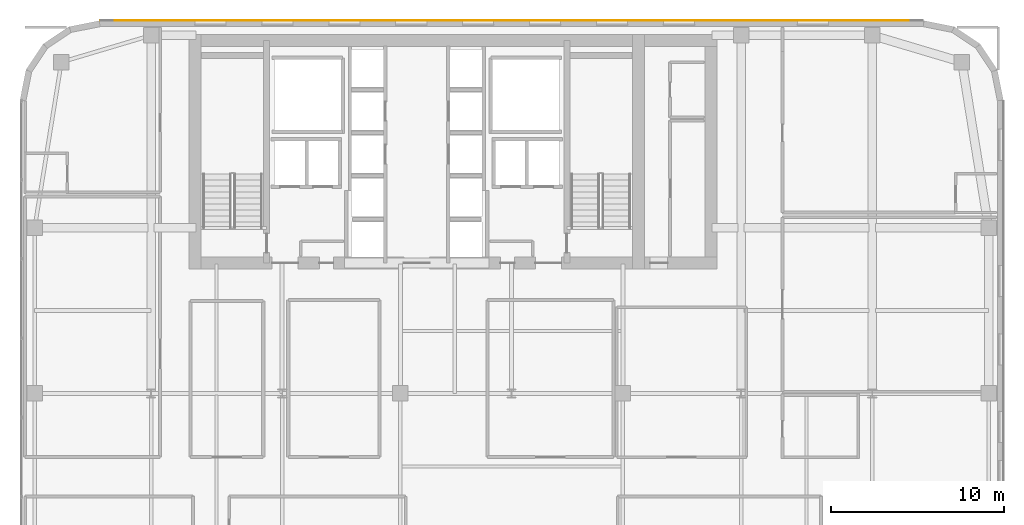
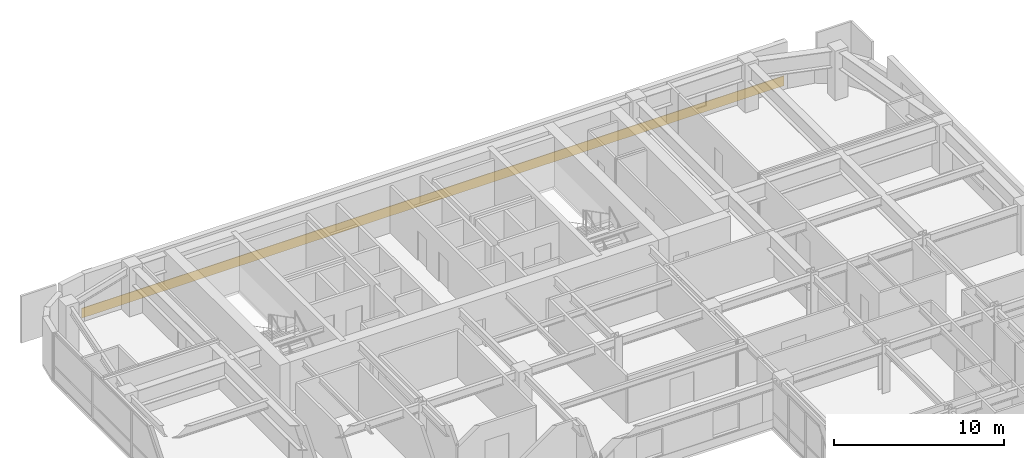
# One storey, part 36 of 37: 1 covering.
"""IFC4 building model written with IfcOpenShell, lengths in metres."""

from ifc_helpers import new_model, si_unit, direction, frame, origin, place, context, subcontext, project, spatial, polyline, outline, extrude, material, layer, layer_set, type_object, element, save


model = new_model("IFC4")

# Units and contexts
model_context = context("Model", 3, precision=1e-05, world=origin(), true_north=direction((0.0, 1.0)))
body_context = subcontext(model_context, "Body", "Model", "MODEL_VIEW")
ifc_project = project(units=[si_unit("LENGTHUNIT", "METRE"), si_unit("AREAUNIT", "SQUARE_METRE"), si_unit("VOLUMEUNIT", "CUBIC_METRE"), si_unit("PLANEANGLEUNIT", "RADIAN"), si_unit("MASSUNIT", "GRAM", prefix="KILO")], contexts=[model_context])

# Site, building, storey
site_placement = place(None, origin())
site = spatial("IfcSite", under=ifc_project, at=site_placement, CompositionType="ELEMENT")
building_placement = place(site_placement, origin())
building = spatial("IfcBuilding", under=site, at=building_placement, Name="Tolvann Quenvar Hotel", CompositionType="ELEMENT")
storey_placement = place(building_placement, frame((0.0, 0.0, 104.449951171875)))
storey = spatial("IfcBuildingStorey", under=building, at=storey_placement, Name="L26", CompositionType="ELEMENT", Elevation=104.449951171875)

# Covering
ifc_material = material(Name="Moulded buff architectural terracotta spandrel cladding", Category="masonry")
ifc_layer = layer(ifc_material, 0.0400390625)
ifc_layer_set = layer_set([ifc_layer], Name="Moulded buff architectural terracotta spandrel cladding")
covering_type = type_object("IfcCoveringType", Name="COV_CLAD_TERRA_40", PredefinedType="CLADDING", material=ifc_layer_set)
covering_placement = place(storey_placement, origin())
element("IfcCovering", 1, at=covering_placement, inside=storey, type_object=covering_type, Name="Terracotta Spandrel Cladding (L26-E18)", PredefinedType="CLADDING", context=body_context, shape_type="SweptSolid", body=[
    extrude(outline(polyline([(52.3427734375, 46.0), (4.6572265625, 46.0), (4.6572265625, 46.0400390625), (52.3427734375, 46.0400390625), (52.3427734375, 46.0)])), origin(), (0.0, 0.0, 1.0), 0.699951171875),
])

save(model, "model.ifc")
